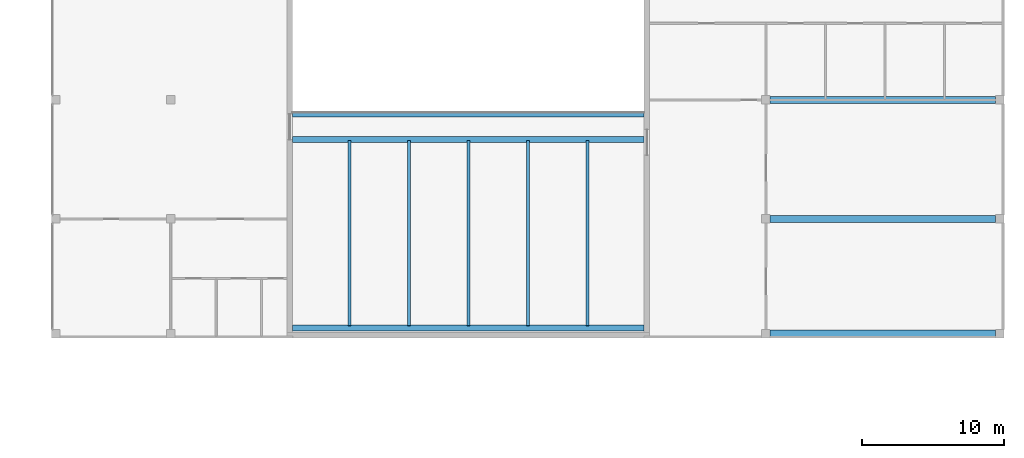
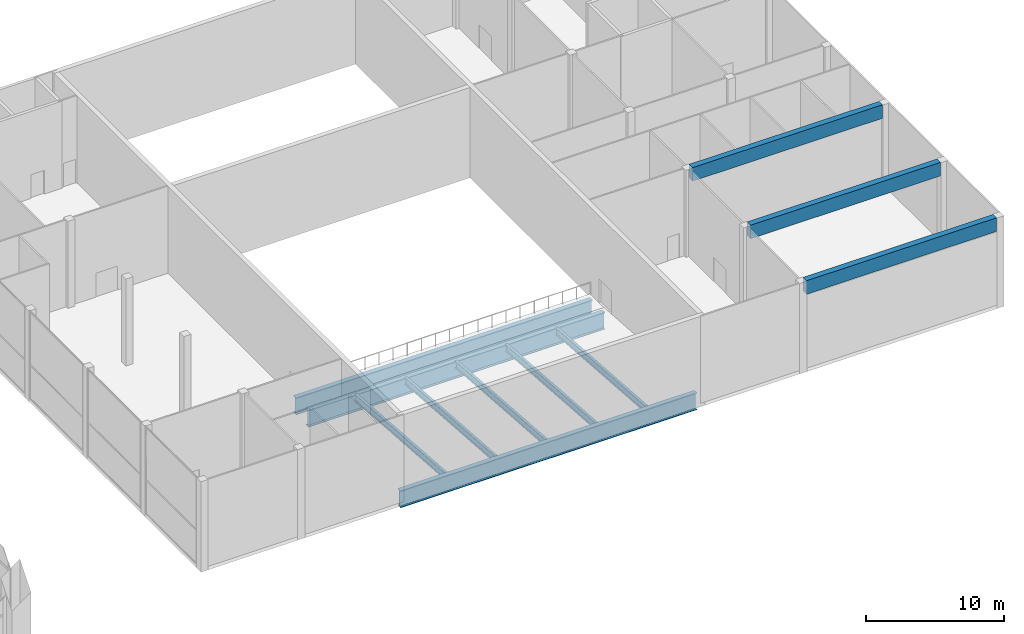
# One storey, part 13 of 52: 11 beams.
"""IFC4 building model written with IfcOpenShell, lengths in metres."""

from ifc_helpers import new_model, si_unit, direction, frame, origin, origin_2d, place, context, subcontext, project, spatial, rectangle, i_section, extrude, material, material_profile, profile_set, type_object, element, save


model = new_model("IFC4")

# Units and contexts
model_context = context("Model", 3, precision=1e-05, world=origin(), true_north=direction((0.0, 1.0)))
body_context = subcontext(model_context, "Body", "Model", "MODEL_VIEW")
ifc_project = project(units=[si_unit("LENGTHUNIT", "METRE"), si_unit("AREAUNIT", "SQUARE_METRE"), si_unit("VOLUMEUNIT", "CUBIC_METRE"), si_unit("PLANEANGLEUNIT", "RADIAN"), si_unit("MASSUNIT", "GRAM", prefix="KILO")], contexts=[model_context])

# Site, building, storey
site_placement = place(None, origin())
site = spatial("IfcSite", under=ifc_project, at=site_placement, CompositionType="ELEMENT")
building_placement = place(site_placement, origin())
building = spatial("IfcBuilding", under=site, at=building_placement, Name="Candeia Pilgrim Tower and Theatre", CompositionType="ELEMENT")
storey_placement = place(building_placement, frame((0.0, 0.0, 9.0)))
storey = spatial("IfcBuildingStorey", under=building, at=storey_placement, Name="L01", CompositionType="ELEMENT", Elevation=9.0)

# Beams
ifc_material_1 = material(Name="Steel S355", Category="steel")
ifc_material_profile_1 = material_profile(ifc_material_1, i_section(OverallWidth=0.39990234375, OverallDepth=1.5, WebThickness=0.02001953125, FlangeThickness=0.0400390625, at=origin_2d()))
ifc_profile_set_1 = profile_set([ifc_material_profile_1], Name="Steel S355")
beam_type_1 = type_object("IfcBeamType", Name="Circle girder PG 1500x400", PredefinedType="BEAM", material=ifc_profile_set_1)
for number, where, z_axis, x_axis, name in (
    (1, (193.0, 80.0, -1.050048828125), (1.0, 0.0, 0.0), (0.0, 1.0, 0.0), "Circle 1 girder 1"),
    (2, (193.0, 81.800048828125, -1.050048828125), (1.0, 0.0, 0.0), (0.0, 1.0, 0.0), "Circle 1 girder 2"),
    (3, (193.0, 66.699951171875, -0.120361328125), (1.0, 0.0, 0.0), (0.0, 1.0, 0.0), "Circle 1 rear girder"),
):
    element("IfcBeam", number, at=place(storey_placement, frame(where, z_axis=z_axis, x_axis=x_axis)), inside=storey, type_object=beam_type_1, Name=name, PredefinedType="BEAM", context=body_context, shape_type="SweptSolid", body=[
        extrude(i_section(OverallWidth=0.39990234375, OverallDepth=1.5, WebThickness=0.02001953125, FlangeThickness=0.0400390625, at=origin_2d()), origin(), (0.0, 0.0, 1.0), 24.800048828125),
    ])
ifc_material_profile_2 = material_profile(ifc_material_1, i_section(OverallWidth=0.219970703125, OverallDepth=0.60009765625, WebThickness=0.011962890625, FlangeThickness=0.01904296875, at=origin_2d()))
ifc_profile_set_2 = profile_set([ifc_material_profile_2], Name="Steel S355")
beam_type_2 = type_object("IfcBeamType", Name="Circle rake beam IPE 600", PredefinedType="BEAM", material=ifc_profile_set_2)
for number, where, z_axis, x_axis, name in (
    (4, (197.0, 66.85009765625, 0.364990234375), (0.0, 0.997309390873, -0.073307427163), (-1.0, 0.0, 0.0), "Circle 1 rake beam 1"),
    (5, (201.199951171875, 66.85009765625, 0.364990234375), (0.0, 0.997309390873, -0.073307427163), (-1.0, 0.0, 0.0), "Circle 1 rake beam 2"),
    (6, (205.39990234375, 66.85009765625, 0.364990234375), (0.0, 0.997309390873, -0.073307427163), (-1.0, 0.0, 0.0), "Circle 1 rake beam 3"),
    (7, (209.60009765625, 66.85009765625, 0.364990234375), (0.0, 0.997309390873, -0.073307427163), (-1.0, 0.0, 0.0), "Circle 1 rake beam 4"),
    (8, (213.800048828125, 66.85009765625, 0.364990234375), (0.0, 0.997309390873, -0.073307427163), (-1.0, 0.0, 0.0), "Circle 1 rake beam 5"),
):
    element("IfcBeam", number, at=place(storey_placement, frame(where, z_axis=z_axis, x_axis=x_axis)), inside=storey, type_object=beam_type_2, Name=name, PredefinedType="BEAM", context=body_context, shape_type="SweptSolid", body=[
        extrude(i_section(OverallWidth=0.219970703125, OverallDepth=0.60009765625, WebThickness=0.011962890625, FlangeThickness=0.01904296875, at=origin_2d()), origin(), (0.0, 0.0, 1.0), 13.0849609375),
    ])
ifc_material_2 = material(Name="Concrete C35/45", Category="concrete")
ifc_material_profile_3 = material_profile(ifc_material_2, rectangle(XDim=0.5, YDim=1.199951171875, at=origin_2d()))
ifc_profile_set_3 = profile_set([ifc_material_profile_3], Name="Concrete C35/45")
beam_type_3 = type_object("IfcBeamType", Name="Theatre beam 500x1200", PredefinedType="BEAM", material=ifc_profile_set_3)
for number, where, z_axis, x_axis, name in (
    (9, (226.699951171875, 66.300048828125, 7.10009765625), (1.0, 0.0, 0.0), (0.0, 1.0, 0.0), "Studio beam L01 66"),
    (10, (226.699951171875, 74.39990234375, 7.10009765625), (1.0, 0.0, 0.0), (0.0, 1.0, 0.0), "Studio beam L01 74"),
    (11, (226.699951171875, 82.800048828125, 7.10009765625), (1.0, 0.0, 0.0), (0.0, 1.0, 0.0), "Studio beam L01 82"),
):
    element("IfcBeam", number, at=place(storey_placement, frame(where, z_axis=z_axis, x_axis=x_axis)), inside=storey, type_object=beam_type_3, Name=name, PredefinedType="BEAM", context=body_context, shape_type="SweptSolid", body=[
        extrude(rectangle(XDim=0.5, YDim=1.199951171875, at=origin_2d()), origin(), (0.0, 0.0, 1.0), 15.900146484375),
    ])

save(model, "model.ifc")
